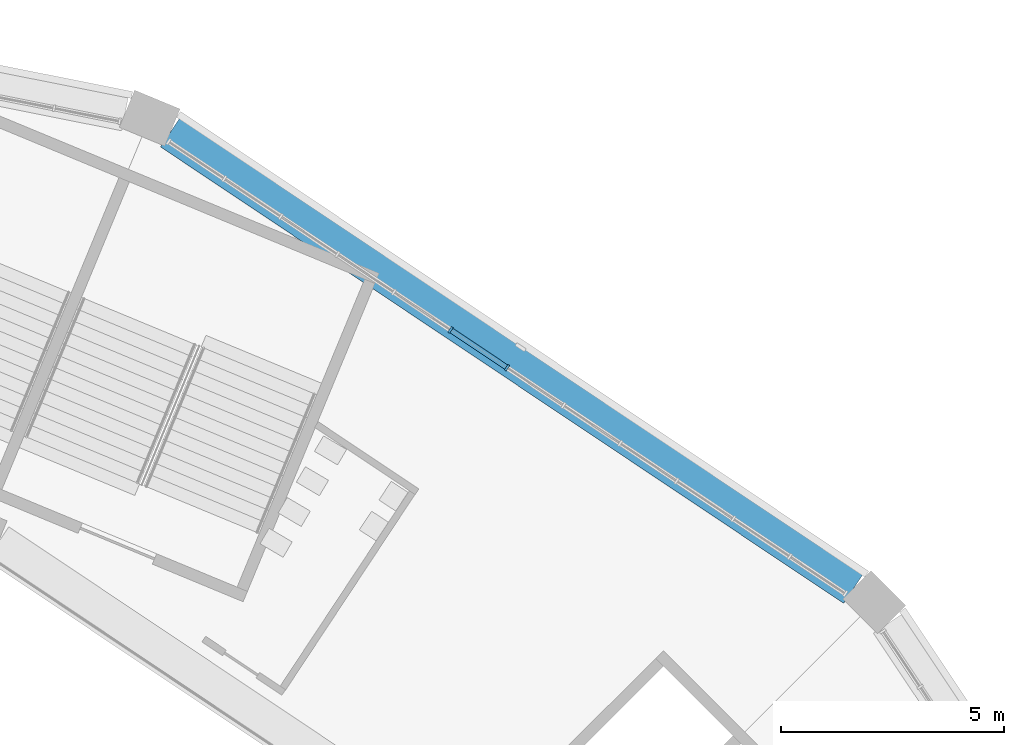
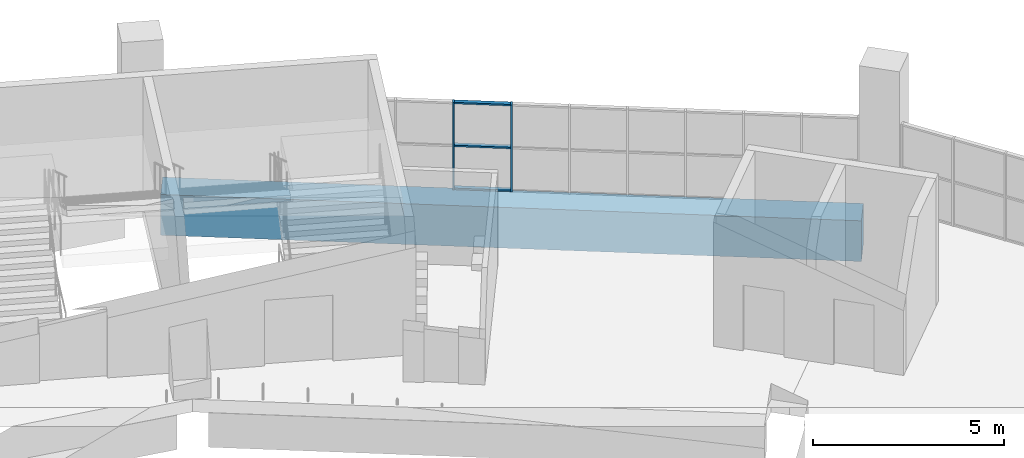
# One storey, part 42 of 177: 5 members, 1 beam, 1 element without a shape of its own.
"""IFC4 building model written with IfcOpenShell, lengths in metres."""

from ifc_helpers import new_model, si_unit, direction, frame, origin, origin_2d, place, context, subcontext, project, spatial, rectangle, extrude, material, material_profile, profile_set, type_object, element, aggregate, save


model = new_model("IFC4")

# Units and contexts
model_context = context("Model", 3, precision=1e-05, world=origin(), true_north=direction((0.0, 1.0)))
body_context = subcontext(model_context, "Body", "Model", "MODEL_VIEW")
ifc_project = project(units=[si_unit("LENGTHUNIT", "METRE"), si_unit("AREAUNIT", "SQUARE_METRE"), si_unit("VOLUMEUNIT", "CUBIC_METRE"), si_unit("PLANEANGLEUNIT", "RADIAN"), si_unit("MASSUNIT", "GRAM", prefix="KILO")], contexts=[model_context])

# Site, building, storey
site_placement = place(None, origin())
site = spatial("IfcSite", under=ifc_project, at=site_placement, CompositionType="ELEMENT")
building_placement = place(site_placement, origin())
building = spatial("IfcBuilding", under=site, at=building_placement, Name="Ogive Plaza Stadium", CompositionType="ELEMENT")
storey_placement = place(building_placement, frame((0.0, 0.0, 18.0)))
storey = spatial("IfcBuildingStorey", under=building, at=storey_placement, Name="L04", CompositionType="ELEMENT", Elevation=18.0)

# Curtain wall, members
ifc_material_1 = material(Name="Bronze-anodised aluminium with laminated glass", Category="aluminium")
curtain_wall_type = type_object("IfcCurtainWallType", Name="Lancet curtain wall", PredefinedType="NOTDEFINED", material=ifc_material_1)
curtain_wall_placement = place(storey_placement, origin())
curtain_wall = element("IfcCurtainWall", 1, at=curtain_wall_placement, inside=storey, type_object=curtain_wall_type, Name="CURTAIN WALL B38 L04", PredefinedType="NOTDEFINED")
ifc_material_2 = material(Name="Bronze-anodised aluminium", Category="aluminium")
ifc_material_profile_1 = material_profile(ifc_material_2, rectangle(XDim=0.14990234375, YDim=0.050048828125, at=origin_2d()), Name="AL 150x50")
ifc_profile_set_1 = profile_set([ifc_material_profile_1], Name="Bronze-anodised aluminium")
member_type_1 = type_object("IfcMemberType", Name="Curtain wall mullion 50x150", PredefinedType="MULLION", material=ifc_profile_set_1)
member_1_placement = place(storey_placement, frame((59.867919921875, 93.9541015625, 0.0), z_axis=(0.0, 0.0, 1.0), x_axis=(0.55557023302, 0.831469612303, 0.0)))
member_1 = element("IfcMember", 2, at=member_1_placement, type_object=member_type_1, Name="CW-B38-L04 mullion 6", PredefinedType="MULLION", context=body_context, shape_type="SweptSolid", body=[
    extrude(rectangle(XDim=0.14990234375, YDim=0.050048828125, at=origin_2d()), origin(), (0.0, 0.0, 1.0), 2.7900390625),
])
member_2_placement = place(storey_placement, frame((61.133544921875, 93.1083984375, 0.0), z_axis=(0.0, 0.0, 1.0), x_axis=(0.55557023302, 0.831469612303, 0.0)))
member_2 = element("IfcMember", 3, at=member_2_placement, type_object=member_type_1, Name="CW-B38-L04 mullion 7", PredefinedType="MULLION", context=body_context, shape_type="SweptSolid", body=[
    extrude(rectangle(XDim=0.14990234375, YDim=0.050048828125, at=origin_2d()), origin(), (0.0, 0.0, 1.0), 2.7900390625),
])
ifc_material_3 = material(Name="Bronze-anodised aluminium", Category="aluminium")
ifc_material_profile_2 = material_profile(ifc_material_3, rectangle(XDim=0.1201171875, YDim=0.050048828125, at=origin_2d()), Name="AL 120x50")
ifc_profile_set_2 = profile_set([ifc_material_profile_2], Name="Bronze-anodised aluminium")
member_type_2 = type_object("IfcMemberType", Name="Curtain wall transom 50x120", PredefinedType="USERDEFINED", material=ifc_profile_set_2)
member_3_placement = place(storey_placement, frame((59.888671875, 93.940185546875, 0.02490234375), z_axis=(0.831488586159, -0.555541835587, 0.0), x_axis=(0.555541835587, 0.831488586159, 0.0)))
member_3 = element("IfcMember", 4, at=member_3_placement, type_object=member_type_2, Name="CW-B38-L04 transom 6.1", ObjectType="TRANSOM", PredefinedType="USERDEFINED", context=body_context, shape_type="SweptSolid", body=[
    extrude(rectangle(XDim=0.1201171875, YDim=0.050048828125, at=origin_2d()), origin(), (0.0, 0.0, 1.0), 1.47216796875),
])
member_4_placement = place(storey_placement, frame((59.888671875, 93.940185546875, 1.39501953125), z_axis=(0.831488586159, -0.555541835587, 0.0), x_axis=(0.555541835587, 0.831488586159, 0.0)))
member_4 = element("IfcMember", 5, at=member_4_placement, type_object=member_type_2, Name="CW-B38-L04 transom 6.2", ObjectType="TRANSOM", PredefinedType="USERDEFINED", context=body_context, shape_type="SweptSolid", body=[
    extrude(rectangle(XDim=0.1201171875, YDim=0.050048828125, at=origin_2d()), origin(), (0.0, 0.0, 1.0), 1.47216796875),
])
member_5_placement = place(storey_placement, frame((59.888671875, 93.940185546875, 2.764892578125), z_axis=(0.831488586159, -0.555541835587, 0.0), x_axis=(0.555541835587, 0.831488586159, 0.0)))
member_5 = element("IfcMember", 6, at=member_5_placement, type_object=member_type_2, Name="CW-B38-L04 transom 6.3", ObjectType="TRANSOM", PredefinedType="USERDEFINED", context=body_context, shape_type="SweptSolid", body=[
    extrude(rectangle(XDim=0.1201171875, YDim=0.050048828125, at=origin_2d()), origin(), (0.0, 0.0, 1.0), 1.47216796875),
])
aggregate(curtain_wall, [member_1, member_2, member_3, member_4, member_5])

# Beam
ifc_material_4 = material(Name="Concrete C40/50", Category="concrete")
ifc_material_profile_3 = material_profile(ifc_material_4, rectangle(XDim=0.800048828125, YDim=1.300048828125, at=origin_2d()), Name="RC 800x1300")
ifc_profile_set_3 = profile_set([ifc_material_profile_3], Name="Concrete C40/50")
beam_type = type_object("IfcBeamType", Name="RC spandrel beam 800x1300", PredefinedType="SPANDREL", material=ifc_profile_set_3)
beam_placement = place(storey_placement, frame((53.600341796875, 98.38232421875, -1.06005859375), z_axis=(0.831477897484, -0.555557833169, 0.0), x_axis=(0.555557833169, 0.831477897484, 0.0)))
element("IfcBeam", 7, at=beam_placement, inside=storey, type_object=beam_type, Name="Ring beam F5 L04 B38", PredefinedType="SPANDREL", context=body_context, shape_type="SweptSolid", body=[
    extrude(rectangle(XDim=0.800048828125, YDim=1.300048828125, at=origin_2d()), origin(), (0.0, 0.0, 1.0), 18.387451171875),
])

save(model, "model.ifc")
